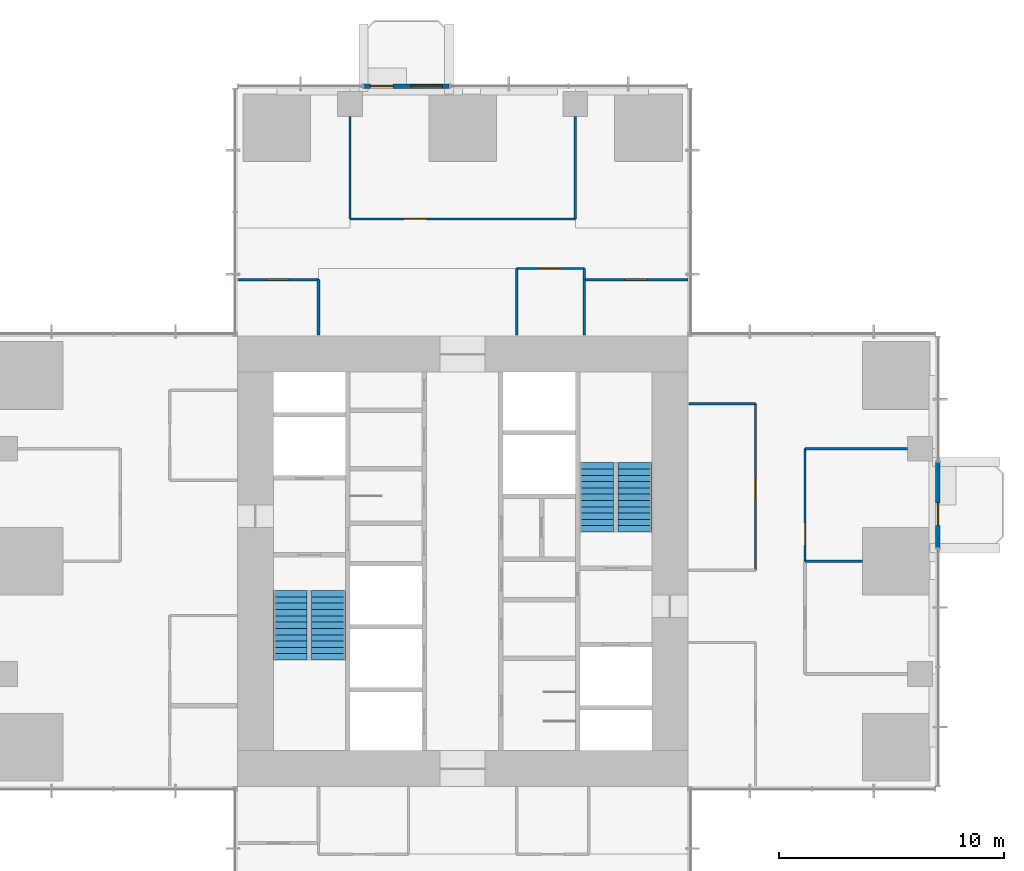
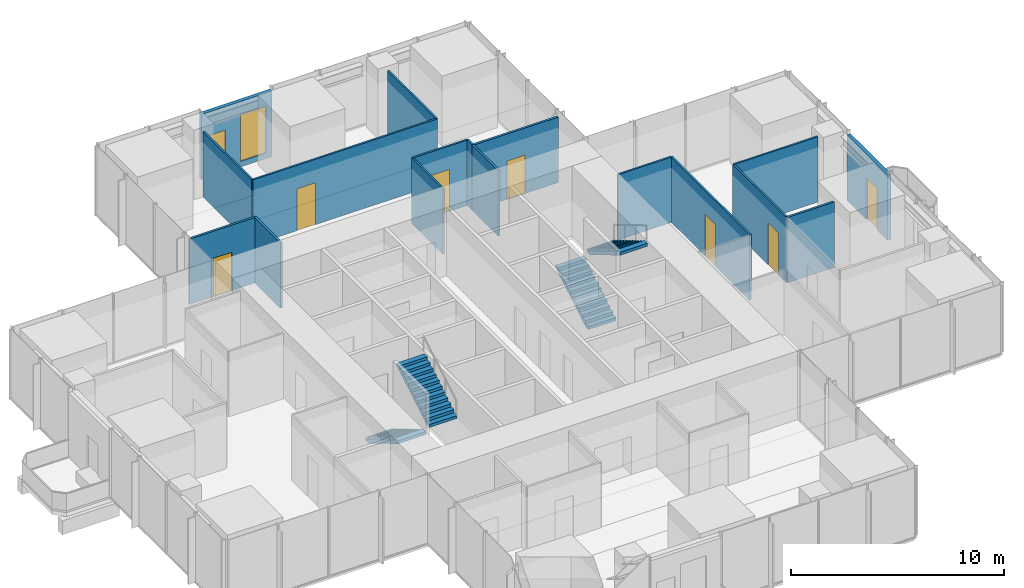
# One storey, part 10 of 13: 17 walls, 8 doors, 4 stair flights, 1 window, 9 openings, 2 elements without a shape of their own.
"""IFC4 building model written with IfcOpenShell, lengths in metres."""

from ifc_helpers import new_model, si_unit, direction, frame, frame_2d, origin, place, context, subcontext, project, spatial, polyline, rectangle, outline, extrude, material, layer, layer_set, type_object, element, fill, aggregate, save


model = new_model("IFC4")

# Units and contexts
model_context = context("Model", 3, precision=1e-05, world=origin(), true_north=direction((0.0, 1.0)))
body_context = subcontext(model_context, "Body", "Model", "MODEL_VIEW")
ifc_project = project(units=[si_unit("LENGTHUNIT", "METRE"), si_unit("AREAUNIT", "SQUARE_METRE"), si_unit("VOLUMEUNIT", "CUBIC_METRE"), si_unit("PLANEANGLEUNIT", "RADIAN"), si_unit("MASSUNIT", "GRAM", prefix="KILO")], contexts=[model_context])

# Site, building, storey
site_placement = place(None, origin())
site = spatial("IfcSite", under=ifc_project, at=site_placement, CompositionType="ELEMENT")
building_placement = place(site_placement, origin())
building = spatial("IfcBuilding", under=site, at=building_placement, Name="Svetlomir Tower", CompositionType="ELEMENT")
storey_placement = place(building_placement, frame((0.0, 0.0, 140.5)))
storey = spatial("IfcBuildingStorey", under=building, at=storey_placement, Name="L33", CompositionType="ELEMENT", Elevation=140.5)

# Wall, opening, door
ifc_material_1 = material(Name="Bronze anodised aluminium glazed screen", Category="aluminium")
ifc_layer_1 = layer(ifc_material_1, 0.199951171875)
ifc_layer_set_1 = layer_set([ifc_layer_1], Name="Bronze anodised aluminium glazed screen")
wall_type_1 = type_object("IfcWallType", Name="BALCONY SCREEN WALL 200", PredefinedType="USERDEFINED", material=ifc_layer_set_1)
wall_1_placement = place(storey_placement, frame((42.10009765625, 21.60009765625, 0.0), z_axis=(0.0, 0.0, 1.0), x_axis=(0.0, 1.0, 0.0)))
wall_1 = element("IfcWall", 1, at=wall_1_placement, inside=storey, type_object=wall_type_1, Name="Balcony screen E", ObjectType="GLAZED SCREEN", PredefinedType="USERDEFINED", context=body_context, shape_type="SweptSolid", body=[
    extrude(rectangle(XDim=3.7998046875, YDim=0.199951171875, at=frame_2d((1.89990234375, 0.0))), origin(), (0.0, 0.0, 1.0), 3.75),
])
opening_1_placement = place(wall_1_placement, frame((1.0, 0.0, 0.0)))
opening_1 = element("IfcOpeningElement", 2, at=opening_1_placement, cuts=wall_1, Name="Opening BD", PredefinedType="OPENING", context=body_context, shape_type="SweptSolid", body=[
    extrude(rectangle(XDim=1.0, YDim=2.39990234375, at=frame_2d((0.5, 1.199951171875))), frame((0.0, 0.10986328125, 0.0), z_axis=(0.0, -1.0, 0.0), x_axis=(1.0, 0.0, 0.0)), (0.0, 0.0, 1.0), 0.219970703125),
])
ifc_material_2 = material(Name="Bronze anodised aluminium glazed door", Category="aluminium")
door_type_1 = type_object("IfcDoorType", Name="BALCONY DOOR BD 1000x2400", OperationType="SINGLE_SWING_LEFT", PredefinedType="DOOR", material=ifc_material_2)
door_1_placement = place(opening_1_placement, origin())
door_1 = element("IfcDoor", 3, at=door_1_placement, inside=storey, type_object=door_type_1, Name="Balcony screen E door", OperationType="SINGLE_SWING_LEFT", OverallHeight=2.39990234375, OverallWidth=1.0, PredefinedType="DOOR", context=body_context, shape_type="SweptSolid", body=[
    extrude(rectangle(XDim=1.0, YDim=2.39990234375, at=frame_2d((0.5, 1.199951171875))), frame((0.0, 0.02490234375, 0.0), z_axis=(0.0, -1.0, 0.0), x_axis=(1.0, 0.0, 0.0)), (0.0, 0.0, 1.0), 0.050048828125),
])
fill(opening_1, door_1)

# Wall, openings, door, window
wall_2_placement = place(storey_placement, frame((20.39990234375, 42.10009765625, 0.0), z_axis=(0.0, 0.0, 1.0), x_axis=(-1.0, 0.0, 0.0)))
wall_2 = element("IfcWall", 4, at=wall_2_placement, inside=storey, type_object=wall_type_1, Name="Balcony screen N", ObjectType="GLAZED SCREEN", PredefinedType="USERDEFINED", context=body_context, shape_type="SweptSolid", body=[
    extrude(rectangle(XDim=3.7998046875, YDim=0.199951171875, at=frame_2d((1.89990234375, 0.0))), origin(), (0.0, 0.0, 1.0), 3.75),
])
opening_2_placement = place(wall_2_placement, frame((2.5, 0.0, 0.0)))
opening_2 = element("IfcOpeningElement", 5, at=opening_2_placement, cuts=wall_2, Name="Opening BD", PredefinedType="OPENING", context=body_context, shape_type="SweptSolid", body=[
    extrude(rectangle(XDim=1.0, YDim=2.39990234375, at=frame_2d((0.5, 1.199951171875))), frame((0.0, 0.10986328125, 0.0), z_axis=(0.0, -1.0, 0.0), x_axis=(1.0, 0.0, 0.0)), (0.0, 0.0, 1.0), 0.219970703125),
])
opening_3_placement = place(wall_2_placement, frame((0.300048828125, 0.0, 0.300048828125)))
opening_3 = element("IfcOpeningElement", 6, at=opening_3_placement, cuts=wall_2, Name="Opening WS2", PredefinedType="OPENING", context=body_context, shape_type="SweptSolid", body=[
    extrude(rectangle(XDim=1.39990234375, YDim=2.699951171875, at=frame_2d((0.699951171875, 1.35009765625))), frame((0.0, 0.10986328125, 0.0), z_axis=(0.0, -1.0, 0.0), x_axis=(1.0, 0.0, 0.0)), (0.0, 0.0, 1.0), 0.219970703125),
])
door_2_placement = place(opening_2_placement, origin())
door_2 = element("IfcDoor", 7, at=door_2_placement, inside=storey, type_object=door_type_1, Name="Balcony screen N door", OperationType="SINGLE_SWING_LEFT", OverallHeight=2.39990234375, OverallWidth=1.0, PredefinedType="DOOR", context=body_context, shape_type="SweptSolid", body=[
    extrude(rectangle(XDim=1.0, YDim=2.39990234375, at=frame_2d((0.5, 1.199951171875))), frame((0.0, 0.02490234375, 0.0), z_axis=(0.0, -1.0, 0.0), x_axis=(1.0, 0.0, 0.0)), (0.0, 0.0, 1.0), 0.050048828125),
])
fill(opening_2, door_2)
ifc_material_3 = material(Name="Bronze anodised aluminium window", Category="aluminium")
window_type = type_object("IfcWindowType", Name="SCREEN WINDOW WS2 1400x2700", PartitioningType="SINGLE_PANEL", PredefinedType="WINDOW", material=ifc_material_3)
window_placement = place(opening_3_placement, origin())
window = element("IfcWindow", 8, at=window_placement, inside=storey, type_object=window_type, Name="Balcony screen N window 1", OverallHeight=2.699951171875, OverallWidth=1.39990234375, PartitioningType="SINGLE_PANEL", PredefinedType="WINDOW", context=body_context, shape_type="SweptSolid", body=[
    extrude(rectangle(XDim=1.39990234375, YDim=2.699951171875, at=frame_2d((0.699951171875, 1.35009765625))), frame((0.0, 0.030029296875, 0.0), z_axis=(0.0, -1.0, 0.0), x_axis=(1.0, 0.0, 0.0)), (0.0, 0.0, 1.0), 0.06005859375),
])
fill(opening_3, window)

# Wall
ifc_material_4 = material(Name="Framed laminated glass partition", Category="glass")
ifc_layer_2 = layer(ifc_material_4, 0.10009765625)
ifc_layer_set_2 = layer_set([ifc_layer_2], Name="Framed laminated glass partition")
wall_type_2 = type_object("IfcWallType", Name="GLAZED PARTITION 100", PredefinedType="PARTITIONING", material=ifc_layer_set_2)
wall_3_placement = place(storey_placement, frame((16.0, 36.199951171875, 0.0), z_axis=(0.0, 0.0, 1.0), x_axis=(0.0, 1.0, 0.0)))
element("IfcWall", 9, at=wall_3_placement, inside=storey, type_object=wall_type_2, Name="Glazed partition L33", PredefinedType="PARTITIONING", context=body_context, shape_type="SweptSolid", body=[
    extrude(rectangle(XDim=4.5400390625, YDim=0.10009765625, at=frame_2d((2.27001953125, 0.0))), origin(), (0.0, 0.0, 1.0), 3.75),
])

# Wall, opening, door
wall_4_placement = place(storey_placement, frame((16.0, 36.199951171875, 0.0), z_axis=(0.0, 0.0, 1.0), x_axis=(1.0, 0.0, 0.0)))
wall_4 = element("IfcWall", 10, at=wall_4_placement, inside=storey, type_object=wall_type_2, Name="Glazed partition L33", PredefinedType="PARTITIONING", context=body_context, shape_type="SweptSolid", body=[
    extrude(rectangle(XDim=10.0, YDim=0.10009765625, at=frame_2d((5.0, 0.0))), origin(), (0.0, 0.0, 1.0), 3.75),
])
opening_4_placement = place(wall_4_placement, frame((2.39990234375, 0.0, 0.0)))
opening_4 = element("IfcOpeningElement", 11, at=opening_4_placement, cuts=wall_4, Name="Opening DG", PredefinedType="OPENING", context=body_context, shape_type="SweptSolid", body=[
    extrude(rectangle(XDim=1.0, YDim=2.39990234375, at=frame_2d((0.5, 1.199951171875))), frame((0.0, 0.06005859375, 0.0), z_axis=(0.0, -1.0, 0.0), x_axis=(1.0, 0.0, 0.0)), (0.0, 0.0, 1.0), 0.1201171875),
])
ifc_material_5 = material(Name="Framed laminated glass door", Category="glass")
door_type_2 = type_object("IfcDoorType", Name="GLAZED DOOR DG 1000x2400", OperationType="SINGLE_SWING_LEFT", PredefinedType="DOOR", material=ifc_material_5)
door_3_placement = place(opening_4_placement, origin())
door_3 = element("IfcDoor", 12, at=door_3_placement, inside=storey, type_object=door_type_2, Name="Materials and samples library door L33", OperationType="SINGLE_SWING_RIGHT", OverallHeight=2.39990234375, OverallWidth=1.0, PredefinedType="DOOR", context=body_context, shape_type="SweptSolid", body=[
    extrude(rectangle(XDim=1.0, YDim=2.39990234375, at=frame_2d((0.5, 1.199951171875))), frame((0.0, 0.02490234375, 0.0), z_axis=(0.0, -1.0, 0.0), x_axis=(1.0, 0.0, 0.0)), (0.0, 0.0, 1.0), 0.050048828125),
])
fill(opening_4, door_3)

# Wall
wall_5_placement = place(storey_placement, frame((23.39990234375, 31.050048828125, 0.0), z_axis=(0.0, 0.0, 1.0), x_axis=(0.0, 1.0, 0.0)))
element("IfcWall", 13, at=wall_5_placement, inside=storey, type_object=wall_type_2, Name="Glazed partition L33", PredefinedType="PARTITIONING", context=body_context, shape_type="SweptSolid", body=[
    extrude(rectangle(XDim=2.949951171875, YDim=0.10009765625, at=frame_2d((1.47509765625, 0.0))), origin(), (0.0, 0.0, 1.0), 3.75),
])

# Wall, opening, door
wall_6_placement = place(storey_placement, frame((23.39990234375, 34.0, 0.0), z_axis=(0.0, 0.0, 1.0), x_axis=(1.0, 0.0, 0.0)))
wall_6 = element("IfcWall", 14, at=wall_6_placement, inside=storey, type_object=wall_type_2, Name="Glazed partition L33", PredefinedType="PARTITIONING", context=body_context, shape_type="SweptSolid", body=[
    extrude(rectangle(XDim=3.0, YDim=0.10009765625, at=frame_2d((1.5, 0.0))), origin(), (0.0, 0.0, 1.0), 3.75),
])
opening_5_placement = place(wall_6_placement, frame((1.0, 0.0, 0.0)))
opening_5 = element("IfcOpeningElement", 15, at=opening_5_placement, cuts=wall_6, Name="Opening DG", PredefinedType="OPENING", context=body_context, shape_type="SweptSolid", body=[
    extrude(rectangle(XDim=1.0, YDim=2.39990234375, at=frame_2d((0.5, 1.199951171875))), frame((0.0, 0.06005859375, 0.0), z_axis=(0.0, -1.0, 0.0), x_axis=(1.0, 0.0, 0.0)), (0.0, 0.0, 1.0), 0.1201171875),
])
door_4_placement = place(opening_5_placement, origin())
door_4 = element("IfcDoor", 16, at=door_4_placement, inside=storey, type_object=door_type_2, Name="Focus room 2 door L33", OperationType="SINGLE_SWING_RIGHT", OverallHeight=2.39990234375, OverallWidth=1.0, PredefinedType="DOOR", context=body_context, shape_type="SweptSolid", body=[
    extrude(rectangle(XDim=1.0, YDim=2.39990234375, at=frame_2d((0.5, 1.199951171875))), frame((0.0, 0.02490234375, 0.0), z_axis=(0.0, -1.0, 0.0), x_axis=(1.0, 0.0, 0.0)), (0.0, 0.0, 1.0), 0.050048828125),
])
fill(opening_5, door_4)

# Walls
wall_7_placement = place(storey_placement, frame((26.0, 36.199951171875, 0.0), z_axis=(0.0, 0.0, 1.0), x_axis=(0.0, 1.0, 0.0)))
element("IfcWall", 17, at=wall_7_placement, inside=storey, type_object=wall_type_2, Name="Glazed partition L33", PredefinedType="PARTITIONING", context=body_context, shape_type="SweptSolid", body=[
    extrude(rectangle(XDim=4.5400390625, YDim=0.10009765625, at=frame_2d((2.27001953125, 0.0))), origin(), (0.0, 0.0, 1.0), 3.75),
])
wall_8_placement = place(storey_placement, frame((26.39990234375, 33.5, 0.0), z_axis=(0.0, 0.0, 1.0), x_axis=(0.0, 1.0, 0.0)))
element("IfcWall", 18, at=wall_8_placement, inside=storey, type_object=wall_type_2, Name="Glazed partition L33", PredefinedType="PARTITIONING", context=body_context, shape_type="SweptSolid", body=[
    extrude(rectangle(XDim=0.5, YDim=0.10009765625, at=frame_2d((0.25, 0.0))), origin(), (0.0, 0.0, 1.0), 3.75),
])
wall_9_placement = place(storey_placement, frame((31.050048828125, 28.0, 0.0), z_axis=(0.0, 0.0, 1.0), x_axis=(1.0, 0.0, 0.0)))
element("IfcWall", 19, at=wall_9_placement, inside=storey, type_object=wall_type_2, Name="Glazed partition L33", PredefinedType="PARTITIONING", context=body_context, shape_type="SweptSolid", body=[
    extrude(rectangle(XDim=2.949951171875, YDim=0.10009765625, at=frame_2d((1.47509765625, 0.0))), origin(), (0.0, 0.0, 1.0), 3.75),
])

# Wall, opening, door
wall_10_placement = place(storey_placement, frame((34.0, 20.60009765625, 0.0), z_axis=(0.0, 0.0, 1.0), x_axis=(0.0, 1.0, 0.0)))
wall_10 = element("IfcWall", 20, at=wall_10_placement, inside=storey, type_object=wall_type_2, Name="Glazed partition L33", PredefinedType="PARTITIONING", context=body_context, shape_type="SweptSolid", body=[
    extrude(rectangle(XDim=7.39990234375, YDim=0.10009765625, at=frame_2d((3.699951171875, 0.0))), origin(), (0.0, 0.0, 1.0), 3.75),
])
opening_6_placement = place(wall_10_placement, frame((3.199951171875, 0.0, 0.0)))
opening_6 = element("IfcOpeningElement", 21, at=opening_6_placement, cuts=wall_10, Name="Opening DG", PredefinedType="OPENING", context=body_context, shape_type="SweptSolid", body=[
    extrude(rectangle(XDim=1.0, YDim=2.39990234375, at=frame_2d((0.5, 1.199951171875))), frame((0.0, 0.06005859375, 0.0), z_axis=(0.0, -1.0, 0.0), x_axis=(1.0, 0.0, 0.0)), (0.0, 0.0, 1.0), 0.1201171875),
])
door_5_placement = place(opening_6_placement, origin())
door_5 = element("IfcDoor", 22, at=door_5_placement, inside=storey, type_object=door_type_2, Name="Team room, 10 seats door L33", OperationType="SINGLE_SWING_RIGHT", OverallHeight=2.39990234375, OverallWidth=1.0, PredefinedType="DOOR", context=body_context, shape_type="SweptSolid", body=[
    extrude(rectangle(XDim=1.0, YDim=2.39990234375, at=frame_2d((0.5, 1.199951171875))), frame((0.0, 0.02490234375, 0.0), z_axis=(0.0, -1.0, 0.0), x_axis=(1.0, 0.0, 0.0)), (0.0, 0.0, 1.0), 0.050048828125),
])
fill(opening_6, door_5)

wall_11_placement = place(storey_placement, frame((36.199951171875, 21.0, 0.0), z_axis=(0.0, 0.0, 1.0), x_axis=(0.0, 1.0, 0.0)))
wall_11 = element("IfcWall", 23, at=wall_11_placement, inside=storey, type_object=wall_type_2, Name="Glazed partition L33", PredefinedType="PARTITIONING", context=body_context, shape_type="SweptSolid", body=[
    extrude(rectangle(XDim=5.0, YDim=0.10009765625, at=frame_2d((2.5, 0.0))), origin(), (0.0, 0.0, 1.0), 3.75),
])
opening_7_placement = place(wall_11_placement, frame((0.699951171875, 0.0, 0.0)))
opening_7 = element("IfcOpeningElement", 24, at=opening_7_placement, cuts=wall_11, Name="Opening DG", PredefinedType="OPENING", context=body_context, shape_type="SweptSolid", body=[
    extrude(rectangle(XDim=1.0, YDim=2.39990234375, at=frame_2d((0.5, 1.199951171875))), frame((0.0, 0.06005859375, 0.0), z_axis=(0.0, -1.0, 0.0), x_axis=(1.0, 0.0, 0.0)), (0.0, 0.0, 1.0), 0.1201171875),
])
door_6_placement = place(opening_7_placement, origin())
door_6 = element("IfcDoor", 25, at=door_6_placement, inside=storey, type_object=door_type_2, Name="Break-out and kitchenette door L33", OperationType="SINGLE_SWING_LEFT", OverallHeight=2.39990234375, OverallWidth=1.0, PredefinedType="DOOR", context=body_context, shape_type="SweptSolid", body=[
    extrude(rectangle(XDim=1.0, YDim=2.39990234375, at=frame_2d((0.5, 1.199951171875))), frame((0.0, 0.02490234375, 0.0), z_axis=(0.0, -1.0, 0.0), x_axis=(1.0, 0.0, 0.0)), (0.0, 0.0, 1.0), 0.050048828125),
])
fill(opening_7, door_6)

# Wall
wall_12_placement = place(storey_placement, frame((36.199951171875, 26.0, 0.0), z_axis=(0.0, 0.0, 1.0), x_axis=(1.0, 0.0, 0.0)))
element("IfcWall", 26, at=wall_12_placement, inside=storey, type_object=wall_type_2, Name="Glazed partition L33", PredefinedType="PARTITIONING", context=body_context, shape_type="SweptSolid", body=[
    extrude(rectangle(XDim=4.5400390625, YDim=0.10009765625, at=frame_2d((2.27001953125, 0.0))), origin(), (0.0, 0.0, 1.0), 3.75),
])

# Wall, opening, door
ifc_material_6 = material(Name="Gypsum board on steel studs", Category="steel")
ifc_layer_3 = layer(ifc_material_6, 0.1201171875)
ifc_layer_set_3 = layer_set([ifc_layer_3], Name="Gypsum board on steel studs")
wall_type_3 = type_object("IfcWallType", Name="PARTITION 120", PredefinedType="PARTITIONING", material=ifc_layer_set_3)
wall_13_placement = place(storey_placement, frame((11.0, 33.5, 0.0), z_axis=(0.0, 0.0, 1.0), x_axis=(1.0, 0.0, 0.0)))
wall_13 = element("IfcWall", 27, at=wall_13_placement, inside=storey, type_object=wall_type_3, Name="Partition L33", PredefinedType="PARTITIONING", context=body_context, shape_type="SweptSolid", body=[
    extrude(rectangle(XDim=3.60009765625, YDim=0.1201171875, at=frame_2d((1.800048828125, 0.0))), origin(), (0.0, 0.0, 1.0), 3.75),
])
opening_8_placement = place(wall_13_placement, frame((1.300048828125, 0.0, 0.0)))
opening_8 = element("IfcOpeningElement", 28, at=opening_8_placement, cuts=wall_13, Name="Opening DR", PredefinedType="OPENING", context=body_context, shape_type="SweptSolid", body=[
    extrude(rectangle(XDim=1.0, YDim=2.199951171875, at=frame_2d((0.5, 1.10009765625))), frame((0.0, 0.070068359375, 0.0), z_axis=(0.0, -1.0, 0.0), x_axis=(1.0, 0.0, 0.0)), (0.0, 0.0, 1.0), 0.14013671875),
])
ifc_material_7 = material(Name="Timber door, glazed side light", Category="wood")
door_type_3 = type_object("IfcDoorType", Name="DOOR DR 1000x2200", OperationType="SINGLE_SWING_LEFT", PredefinedType="DOOR", material=ifc_material_7)
door_7_placement = place(opening_8_placement, origin())
door_7 = element("IfcDoor", 29, at=door_7_placement, inside=storey, type_object=door_type_3, Name="Site kit store door L33", OperationType="SINGLE_SWING_RIGHT", OverallHeight=2.199951171875, OverallWidth=1.0, PredefinedType="DOOR", context=body_context, shape_type="SweptSolid", body=[
    extrude(rectangle(XDim=1.0, YDim=2.199951171875, at=frame_2d((0.5, 1.10009765625))), frame((0.0, 0.02490234375, 0.0), z_axis=(0.0, -1.0, 0.0), x_axis=(1.0, 0.0, 0.0)), (0.0, 0.0, 1.0), 0.050048828125),
])
fill(opening_8, door_7)

# Walls
for number, where, z_axis, x_axis, name in (
    (30, (14.60009765625, 31.050048828125, 0.0), (0.0, 0.0, 1.0), (0.0, 1.0, 0.0), "Partition L33"),
    (31, (26.39990234375, 31.050048828125, 0.0), (0.0, 0.0, 1.0), (0.0, 1.0, 0.0), "Partition L33"),
):
    element("IfcWall", number, at=place(storey_placement, frame(where, z_axis=z_axis, x_axis=x_axis)), inside=storey, type_object=wall_type_3, Name=name, PredefinedType="PARTITIONING", context=body_context, shape_type="SweptSolid", body=[
        extrude(rectangle(XDim=2.449951171875, YDim=0.1201171875, at=frame_2d((1.22509765625, 0.0))), origin(), (0.0, 0.0, 1.0), 3.75),
    ])

# Wall, opening, door
wall_14_placement = place(storey_placement, frame((26.39990234375, 33.5, 0.0), z_axis=(0.0, 0.0, 1.0), x_axis=(1.0, 0.0, 0.0)))
wall_14 = element("IfcWall", 32, at=wall_14_placement, inside=storey, type_object=wall_type_3, Name="Partition L33", PredefinedType="PARTITIONING", context=body_context, shape_type="SweptSolid", body=[
    extrude(rectangle(XDim=4.60009765625, YDim=0.1201171875, at=frame_2d((2.300048828125, 0.0))), origin(), (0.0, 0.0, 1.0), 3.75),
])
opening_9_placement = place(wall_14_placement, frame((1.800048828125, 0.0, 0.0)))
opening_9 = element("IfcOpeningElement", 33, at=opening_9_placement, cuts=wall_14, Name="Opening DR", PredefinedType="OPENING", context=body_context, shape_type="SweptSolid", body=[
    extrude(rectangle(XDim=1.0, YDim=2.199951171875, at=frame_2d((0.5, 1.10009765625))), frame((0.0, 0.070068359375, 0.0), z_axis=(0.0, -1.0, 0.0), x_axis=(1.0, 0.0, 0.0)), (0.0, 0.0, 1.0), 0.14013671875),
])
door_8_placement = place(opening_9_placement, origin())
door_8 = element("IfcDoor", 34, at=door_8_placement, inside=storey, type_object=door_type_3, Name="Plotter and print room door L33", OperationType="SINGLE_SWING_LEFT", OverallHeight=2.199951171875, OverallWidth=1.0, PredefinedType="DOOR", context=body_context, shape_type="SweptSolid", body=[
    extrude(rectangle(XDim=1.0, YDim=2.199951171875, at=frame_2d((0.5, 1.10009765625))), frame((0.0, 0.02490234375, 0.0), z_axis=(0.0, -1.0, 0.0), x_axis=(1.0, 0.0, 0.0)), (0.0, 0.0, 1.0), 0.050048828125),
])
fill(opening_9, door_8)

# Wall
wall_15_placement = place(storey_placement, frame((36.199951171875, 21.0, 0.0), z_axis=(0.0, 0.0, 1.0), x_axis=(1.0, 0.0, 0.0)))
element("IfcWall", 35, at=wall_15_placement, inside=storey, type_object=wall_type_3, Name="Partition L33", PredefinedType="PARTITIONING", context=body_context, shape_type="SweptSolid", body=[
    extrude(rectangle(XDim=2.5400390625, YDim=0.1201171875, at=frame_2d((1.27001953125, 0.0))), origin(), (0.0, 0.0, 1.0), 3.75),
])

# Stair, stair flights
ifc_material_8 = material(Name="Concrete C60/75", Category="concrete")
stair_type = type_object("IfcStairType", Name="EXIT STAIR 3200 RISE 4000", PredefinedType="HALF_TURN_STAIR", material=ifc_material_8)
stair_1_placement = place(storey_placement, origin())
stair_1 = element("IfcStair", 36, at=stair_1_placement, inside=storey, type_object=stair_type, Name="Stair S1 L33 to L34", PredefinedType="HALF_TURN_STAIR")
ifc_material_9 = material(Name="Concrete C60/75", Category="concrete")
stair_flight_type = type_object("IfcStairFlightType", Name="STAIR FLIGHT 1500 OF 12 RISERS", PredefinedType="STRAIGHT", material=ifc_material_9)
stair_flight_1_placement = place(storey_placement, frame((13.35009765625, 19.699951171875, 0.0), z_axis=(0.0, 0.0, 1.0), x_axis=(0.0, -1.0, 0.0)))
stair_flight_1 = element("IfcStairFlight", 37, at=stair_flight_1_placement, type_object=stair_flight_type, Name="S1 flight 1", NumberOfRisers=12, NumberOfTreads=11, PredefinedType="STRAIGHT", RiserHeight=0.166666667, TreadLength=0.28, context=body_context, shape_type="SweptSolid", body=[
    extrude(outline(polyline([(0.0, 0.0), (0.0, 0.166748046875), (0.280029296875, 0.166748046875), (0.280029296875, 0.333251953125), (0.56005859375, 0.333251953125), (0.56005859375, 0.5), (0.840087890625, 0.5), (0.840087890625, 0.666748046875), (1.1201171875, 0.666748046875), (1.1201171875, 0.833251953125), (1.39990234375, 0.833251953125), (1.39990234375, 1.0), (1.679931640625, 1.0), (1.679931640625, 1.166748046875), (1.9599609375, 1.166748046875), (1.9599609375, 1.333251953125), (2.239990234375, 1.333251953125), (2.239990234375, 1.5), (2.52001953125, 1.5), (2.52001953125, 1.666748046875), (2.800048828125, 1.666748046875), (2.800048828125, 1.833251953125), (3.080078125, 1.833251953125), (3.080078125, 2.0), (3.080078125, 1.658935546875), (0.29296875, 0.0), (0.0, 0.0)])), frame((0.0, 0.75, 0.0), z_axis=(0.0, -1.0, 0.0), x_axis=(1.0, 0.0, 0.0)), (0.0, 0.0, 1.0), 1.5),
])
stair_flight_2_placement = place(storey_placement, frame((15.050048828125, 16.6201171875, 2.0), z_axis=(0.0, 0.0, 1.0), x_axis=(0.0, 1.0, 0.0)))
stair_flight_2 = element("IfcStairFlight", 38, at=stair_flight_2_placement, type_object=stair_flight_type, Name="S1 flight 2", NumberOfRisers=12, NumberOfTreads=11, PredefinedType="STRAIGHT", RiserHeight=0.166666667, TreadLength=0.28, context=body_context, shape_type="SweptSolid", body=[
    extrude(outline(polyline([(0.0, 0.0), (0.0, 0.166748046875), (0.280029296875, 0.166748046875), (0.280029296875, 0.333251953125), (0.56005859375, 0.333251953125), (0.56005859375, 0.5), (0.840087890625, 0.5), (0.840087890625, 0.666748046875), (1.1201171875, 0.666748046875), (1.1201171875, 0.833251953125), (1.39990234375, 0.833251953125), (1.39990234375, 1.0), (1.679931640625, 1.0), (1.679931640625, 1.166748046875), (1.9599609375, 1.166748046875), (1.9599609375, 1.333251953125), (2.239990234375, 1.333251953125), (2.239990234375, 1.5), (2.52001953125, 1.5), (2.52001953125, 1.666748046875), (2.800048828125, 1.666748046875), (2.800048828125, 1.833251953125), (3.080078125, 1.833251953125), (3.080078125, 2.0), (3.080078125, 1.658935546875), (0.29296875, 0.0), (0.0, 0.0)])), frame((0.0, 0.75, 0.0), z_axis=(0.0, -1.0, 0.0), x_axis=(1.0, 0.0, 0.0)), (0.0, 0.0, 1.0), 1.5),
])
aggregate(stair_1, [stair_flight_1, stair_flight_2])

stair_2_placement = place(storey_placement, origin())
stair_2 = element("IfcStair", 39, at=stair_2_placement, inside=storey, type_object=stair_type, Name="Stair S2 L33 to L34", PredefinedType="HALF_TURN_STAIR")
stair_flight_3_placement = place(storey_placement, frame((26.949951171875, 22.300048828125, 0.0), z_axis=(0.0, 0.0, 1.0), x_axis=(0.0, 1.0, 0.0)))
stair_flight_3 = element("IfcStairFlight", 40, at=stair_flight_3_placement, type_object=stair_flight_type, Name="S2 flight 1", NumberOfRisers=12, NumberOfTreads=11, PredefinedType="STRAIGHT", RiserHeight=0.166666667, TreadLength=0.28, context=body_context, shape_type="SweptSolid", body=[
    extrude(outline(polyline([(0.0, 0.0), (0.0, 0.166748046875), (0.280029296875, 0.166748046875), (0.280029296875, 0.333251953125), (0.56005859375, 0.333251953125), (0.56005859375, 0.5), (0.840087890625, 0.5), (0.840087890625, 0.666748046875), (1.1201171875, 0.666748046875), (1.1201171875, 0.833251953125), (1.39990234375, 0.833251953125), (1.39990234375, 1.0), (1.679931640625, 1.0), (1.679931640625, 1.166748046875), (1.9599609375, 1.166748046875), (1.9599609375, 1.333251953125), (2.239990234375, 1.333251953125), (2.239990234375, 1.5), (2.52001953125, 1.5), (2.52001953125, 1.666748046875), (2.800048828125, 1.666748046875), (2.800048828125, 1.833251953125), (3.080078125, 1.833251953125), (3.080078125, 2.0), (3.080078125, 1.658935546875), (0.29296875, 0.0), (0.0, 0.0)])), frame((0.0, 0.75, 0.0), z_axis=(0.0, -1.0, 0.0), x_axis=(1.0, 0.0, 0.0)), (0.0, 0.0, 1.0), 1.5),
])
stair_flight_4_placement = place(storey_placement, frame((28.64990234375, 25.3798828125, 2.0), z_axis=(0.0, 0.0, 1.0), x_axis=(0.0, -1.0, 0.0)))
stair_flight_4 = element("IfcStairFlight", 41, at=stair_flight_4_placement, type_object=stair_flight_type, Name="S2 flight 2", NumberOfRisers=12, NumberOfTreads=11, PredefinedType="STRAIGHT", RiserHeight=0.166666667, TreadLength=0.28, context=body_context, shape_type="SweptSolid", body=[
    extrude(outline(polyline([(0.0, 0.0), (0.0, 0.166748046875), (0.280029296875, 0.166748046875), (0.280029296875, 0.333251953125), (0.56005859375, 0.333251953125), (0.56005859375, 0.5), (0.840087890625, 0.5), (0.840087890625, 0.666748046875), (1.1201171875, 0.666748046875), (1.1201171875, 0.833251953125), (1.39990234375, 0.833251953125), (1.39990234375, 1.0), (1.679931640625, 1.0), (1.679931640625, 1.166748046875), (1.9599609375, 1.166748046875), (1.9599609375, 1.333251953125), (2.239990234375, 1.333251953125), (2.239990234375, 1.5), (2.52001953125, 1.5), (2.52001953125, 1.666748046875), (2.800048828125, 1.666748046875), (2.800048828125, 1.833251953125), (3.080078125, 1.833251953125), (3.080078125, 2.0), (3.080078125, 1.658935546875), (0.29296875, 0.0), (0.0, 0.0)])), frame((0.0, 0.75, 0.0), z_axis=(0.0, -1.0, 0.0), x_axis=(1.0, 0.0, 0.0)), (0.0, 0.0, 1.0), 1.5),
])
aggregate(stair_2, [stair_flight_3, stair_flight_4])

save(model, "model.ifc")
